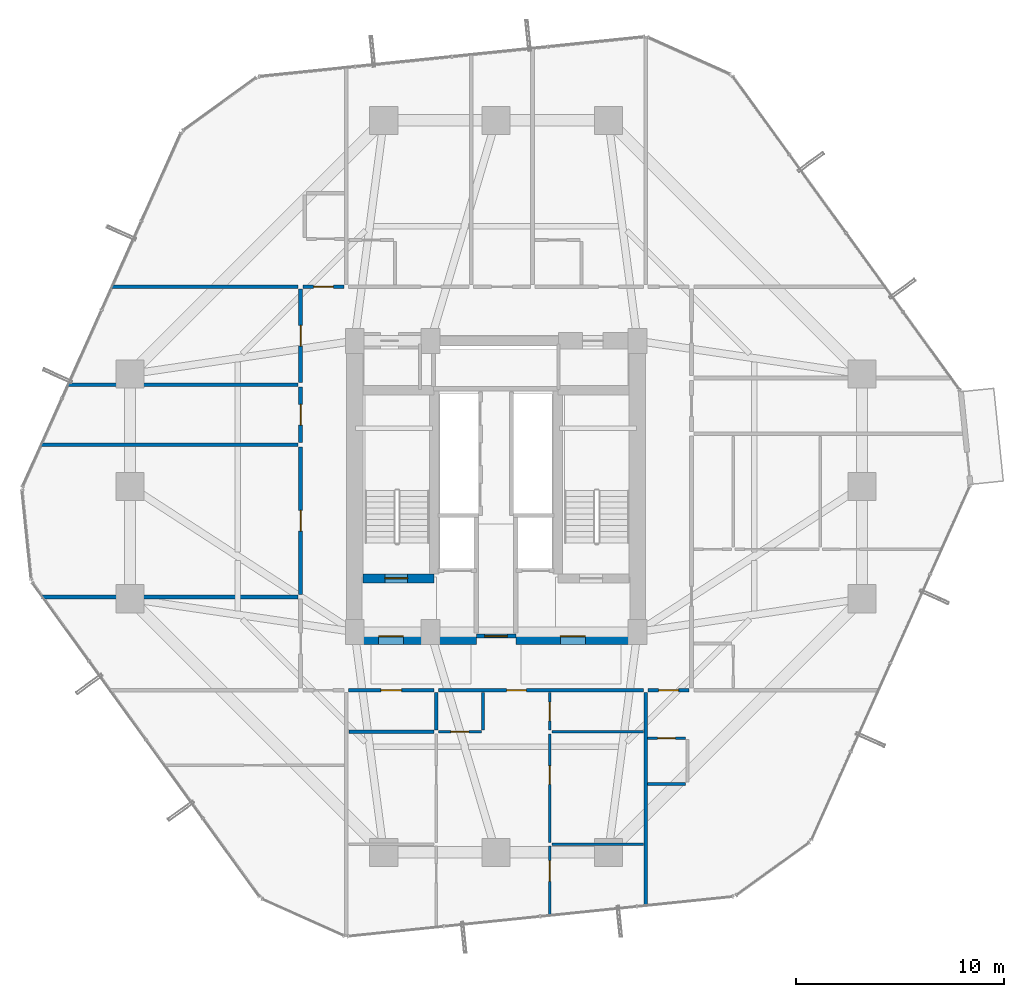
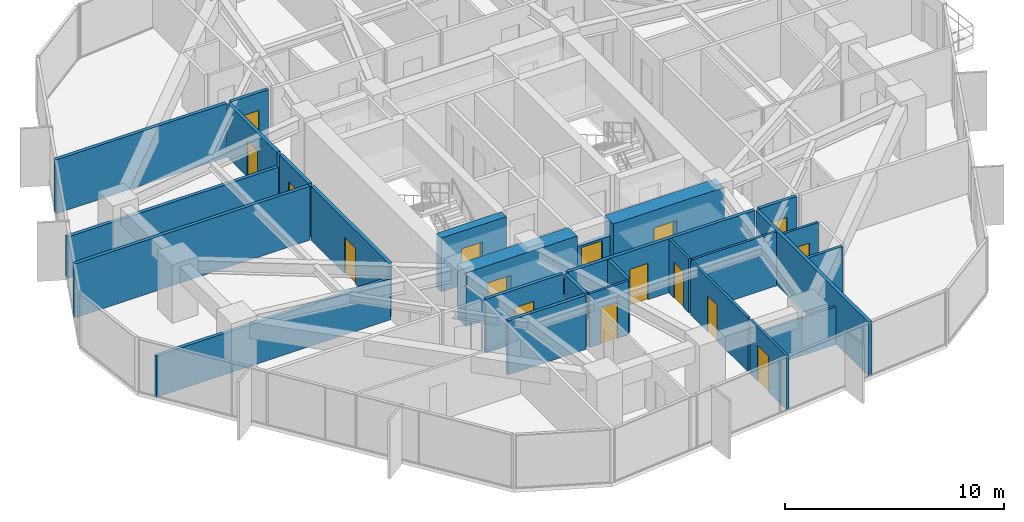
# One storey, part 33 of 37: 27 walls, 16 doors, 16 openings.
"""IFC4 building model written with IfcOpenShell, lengths in metres."""

from ifc_helpers import new_model, si_unit, direction, frame, frame_2d, origin, place, context, subcontext, project, spatial, rectangle, extrude, source, transform, mapped, material, layer, layer_set, type_object, element, fill, save


model = new_model("IFC4")

# Units and contexts
model_context = context("Model", 3, precision=1e-05, world=origin(), true_north=direction((0.0, 1.0)))
body_context = subcontext(model_context, "Body", "Model", "MODEL_VIEW")
ifc_project = project(units=[si_unit("LENGTHUNIT", "METRE"), si_unit("AREAUNIT", "SQUARE_METRE"), si_unit("VOLUMEUNIT", "CUBIC_METRE"), si_unit("PLANEANGLEUNIT", "RADIAN"), si_unit("MASSUNIT", "GRAM", prefix="KILO")], contexts=[model_context])

# Site, building, storey
site_placement = place(None, origin())
site = spatial("IfcSite", under=ifc_project, at=site_placement, CompositionType="ELEMENT")
building_placement = place(site_placement, origin())
building = spatial("IfcBuilding", under=site, at=building_placement, Name="Veraguas Prism Commons", CompositionType="ELEMENT")
storey_placement = place(building_placement, frame((0.0, 0.0, 43.550048828125)))
storey = spatial("IfcBuildingStorey", under=building, at=storey_placement, Name="L11", CompositionType="ELEMENT", Elevation=43.550048828125)

# Wall, opening, door
ifc_material_1 = material(Name="Concrete C60/75", Category="concrete")
ifc_layer_1 = layer(ifc_material_1, 0.449951171875, Name="Core Internal Shear Wall Lower RC 450", Category="concrete")
ifc_layer_set_1 = layer_set([ifc_layer_1], Name="Concrete C60/75")
wall_type_1 = type_object("IfcWallType", Name="Core Internal Shear Wall Lower RC 450", PredefinedType="SHEAR", material=ifc_layer_set_1)
wall_1_placement = place(storey_placement, frame((17.60009765625, 19.574951171875, 0.0), z_axis=(0.0, 0.0, 1.0), x_axis=(1.0, 0.0, 0.0)))
wall_1 = element("IfcWall", 1, at=wall_1_placement, inside=storey, type_object=wall_type_1, Name="Stair ST-01 South Shear Wall L11", PredefinedType="SHEAR", context=body_context, shape_type="SweptSolid", body=[
    extrude(rectangle(XDim=3.4248046875, YDim=0.449951171875, at=frame_2d((1.71240234375, 0.0))), origin(), (0.0, 0.0, 1.0), 3.0),
])
opening_1_placement = place(wall_1_placement, frame((1.050048828125, 0.0, 0.0)))
opening_1 = element("IfcOpeningElement", 2, at=opening_1_placement, cuts=wall_1, Name="Opening DR-05", PredefinedType="OPENING", context=body_context, shape_type="SweptSolid", body=[
    extrude(rectangle(XDim=1.10009765625, YDim=2.030029296875, at=frame_2d((0.550048828125, 1.01513671875))), frame((0.0, 0.23486328125, 0.0), z_axis=(0.0, -1.0, 0.0), x_axis=(1.0, 0.0, 0.0)), (0.0, 0.0, 1.0), 0.469970703125),
])
ifc_material_2 = material(Name="Steel fire-rated door assembly", Category="steel")
door_type_1 = type_object("IfcDoorType", Name="Protected Stair and Refuge Fire Door 1100x2030", OperationType="NOTDEFINED", PredefinedType="DOOR", material=ifc_material_2)
shared_shape_1 = source(origin(), body_context, "Body", "SweptSolid", [
    extrude(rectangle(XDim=1.10009765625, YDim=2.030029296875, at=frame_2d((0.550048828125, 1.01513671875))), frame((0.0, 0.02490234375, 0.0), z_axis=(0.0, -1.0, 0.0), x_axis=(1.0, 0.0, 0.0)), (0.0, 0.0, 1.0), 0.050048828125),
])
door_1_placement = place(opening_1_placement, origin())
door_1 = element("IfcDoor", 3, at=door_1_placement, inside=storey, type_object=door_type_1, Name="Stair ST-01 Enclosure Door L11", OperationType="SINGLE_SWING_RIGHT", OverallHeight=2.030029296875, OverallWidth=1.10009765625, PredefinedType="DOOR", context=body_context, shape_type="MappedRepresentation", body=[
    mapped(shared_shape_1, transform((0.0, 0.0, 0.0), scale=1.0)),
])
fill(opening_1, door_1)

ifc_layer_2 = layer(ifc_material_1, 0.800048828125, Name="Core Outer Shear Wall Lower RC 800", Category="concrete")
ifc_layer_set_2 = layer_set([ifc_layer_2], Name="Concrete C60/75")
wall_type_2 = type_object("IfcWallType", Name="Core Outer Shear Wall Lower RC 800", PredefinedType="SHEAR", material=ifc_layer_set_2)
wall_2_placement = place(storey_placement, frame((17.199951171875, 16.800048828125, 0.0), z_axis=(0.0, 0.0, 1.0), x_axis=(1.0, 0.0, 0.0)))
wall_2 = element("IfcWall", 4, at=wall_2_placement, inside=storey, type_object=wall_type_2, Name="Central Core South-West Shear Wall L11", PredefinedType="SHEAR", context=body_context, shape_type="SweptSolid", body=[
    extrude(rectangle(XDim=5.85009765625, YDim=0.800048828125, at=frame_2d((2.925048828125, 0.0))), origin(), (0.0, 0.0, 1.0), 3.0),
])
opening_2_placement = place(wall_2_placement, frame((1.14990234375, 0.0, 0.0)))
opening_2 = element("IfcOpeningElement", 5, at=opening_2_placement, cuts=wall_2, Name="Opening DR-06", PredefinedType="OPENING", context=body_context, shape_type="SweptSolid", body=[
    extrude(rectangle(XDim=1.199951171875, YDim=2.030029296875, at=frame_2d((0.60009765625, 1.01513671875))), frame((0.0, 0.409912109375, 0.0), z_axis=(0.0, -1.0, 0.0), x_axis=(1.0, 0.0, 0.0)), (0.0, 0.0, 1.0), 0.820068359375),
])
door_type_2 = type_object("IfcDoorType", Name="Firefighting Lobby Smoke Door 1200x2030", OperationType="NOTDEFINED", PredefinedType="DOOR", material=ifc_material_2)
shared_shape_2 = source(origin(), body_context, "Body", "SweptSolid", [
    extrude(rectangle(XDim=1.199951171875, YDim=2.030029296875, at=frame_2d((0.60009765625, 1.01513671875))), frame((0.0, 0.02490234375, 0.0), z_axis=(0.0, -1.0, 0.0), x_axis=(1.0, 0.0, 0.0)), (0.0, 0.0, 1.0), 0.050048828125),
])
door_2_placement = place(opening_2_placement, origin())
door_2 = element("IfcDoor", 6, at=door_2_placement, inside=storey, type_object=door_type_2, Name="West FF Lobby Door L11", OperationType="SINGLE_SWING_LEFT", OverallHeight=2.030029296875, OverallWidth=1.199951171875, PredefinedType="DOOR", context=body_context, shape_type="MappedRepresentation", body=[
    mapped(shared_shape_2, transform((0.0, 0.0, 0.0), scale=1.0)),
])
fill(opening_2, door_2)

wall_3_placement = place(storey_placement, frame((24.949951171875, 16.800048828125, 0.0), z_axis=(0.0, 0.0, 1.0), x_axis=(1.0, 0.0, 0.0)))
wall_3 = element("IfcWall", 7, at=wall_3_placement, inside=storey, type_object=wall_type_2, Name="Central Core South-East Shear Wall L11", PredefinedType="SHEAR", context=body_context, shape_type="SweptSolid", body=[
    extrude(rectangle(XDim=5.85009765625, YDim=0.800048828125, at=frame_2d((2.925048828125, 0.0))), origin(), (0.0, 0.0, 1.0), 3.0),
])
opening_3_placement = place(wall_3_placement, frame((2.14990234375, 0.0, 0.0)))
opening_3 = element("IfcOpeningElement", 8, at=opening_3_placement, cuts=wall_3, Name="Opening DR-06", PredefinedType="OPENING", context=body_context, shape_type="SweptSolid", body=[
    extrude(rectangle(XDim=1.199951171875, YDim=2.030029296875, at=frame_2d((0.60009765625, 1.01513671875))), frame((0.0, 0.409912109375, 0.0), z_axis=(0.0, -1.0, 0.0), x_axis=(1.0, 0.0, 0.0)), (0.0, 0.0, 1.0), 0.820068359375),
])
door_3_placement = place(opening_3_placement, origin())
door_3 = element("IfcDoor", 9, at=door_3_placement, inside=storey, type_object=door_type_2, Name="East FF Lobby Door L11", OperationType="SINGLE_SWING_LEFT", OverallHeight=2.030029296875, OverallWidth=1.199951171875, PredefinedType="DOOR", context=body_context, shape_type="MappedRepresentation", body=[
    mapped(shared_shape_2, transform((0.0, 0.0, 0.0), scale=1.0)),
])
fill(opening_3, door_3)

# Wall
ifc_material_3 = material(Name="Autoclaved aerated masonry block 10 MPa", Category="masonry")
ifc_layer_3 = layer(ifc_material_3, 0.179931640625, Name="Corridor and Inter-Tenancy Partition 180", Category="masonry")
ifc_layer_set_3 = layer_set([ifc_layer_3], Name="Autoclaved aerated masonry block 10 MPa")
wall_type_3 = type_object("IfcWallType", Name="Corridor and Inter-Tenancy Partition 180", PredefinedType="PARTITIONING", material=ifc_layer_set_3)
wall_4_placement = place(storey_placement, frame((31.199951171875, 14.080078125, 0.0), z_axis=(0.0, 0.0, 1.0), x_axis=(0.0, -1.0, 0.0)))
element("IfcWall", 10, at=wall_4_placement, inside=storey, type_object=wall_type_3, Name="WL-L11-PT002", PredefinedType="PARTITIONING", context=body_context, shape_type="SweptSolid", body=[
    extrude(rectangle(XDim=10.26318359375, YDim=0.179931640625, at=frame_2d((5.131591796875, 0.0))), origin(), (0.0, 0.0, 1.0), 3.0),
])

# Wall, opening, door
wall_5_placement = place(storey_placement, frame((16.909912109375, 14.199951171875, 0.0), z_axis=(0.0, 0.0, 1.0), x_axis=(1.0, 0.0, 0.0)))
wall_5 = element("IfcWall", 11, at=wall_5_placement, inside=storey, type_object=wall_type_3, Name="WL-L11-PT003", PredefinedType="PARTITIONING", context=body_context, shape_type="SweptSolid", body=[
    extrude(rectangle(XDim=4.10009765625, YDim=0.179931640625, at=frame_2d((2.050048828125, 0.0))), origin(), (0.0, 0.0, 1.0), 3.0),
])
opening_4_placement = place(wall_5_placement, frame((1.550048828125, 0.0, 0.0)))
opening_4 = element("IfcOpeningElement", 12, at=opening_4_placement, cuts=wall_5, Name="Opening DR-13", PredefinedType="OPENING", context=body_context, shape_type="SweptSolid", body=[
    extrude(rectangle(XDim=1.0, YDim=2.010009765625, at=frame_2d((0.5, 1.0048828125))), frame((0.0, 0.099853515625, 0.0), z_axis=(0.0, -1.0, 0.0), x_axis=(1.0, 0.0, 0.0)), (0.0, 0.0, 1.0), 0.199951171875),
])
door_type_3 = type_object("IfcDoorType", Name="Core Accessible WC and Clinic Fire Door 1000x2010", OperationType="NOTDEFINED", PredefinedType="DOOR", material=ifc_material_2)
shared_shape_3 = source(origin(), body_context, "Body", "SweptSolid", [
    extrude(rectangle(XDim=1.0, YDim=2.010009765625, at=frame_2d((0.5, 1.0048828125))), frame((0.0, 0.02490234375, 0.0), z_axis=(0.0, -1.0, 0.0), x_axis=(1.0, 0.0, 0.0)), (0.0, 0.0, 1.0), 0.050048828125),
])
door_4_placement = place(opening_4_placement, origin())
door_4 = element("IfcDoor", 13, at=door_4_placement, inside=storey, type_object=door_type_3, Name="Residents Study Alcove 11A Door", OperationType="SINGLE_SWING_RIGHT", OverallHeight=2.010009765625, OverallWidth=1.0, PredefinedType="DOOR", context=body_context, shape_type="MappedRepresentation", body=[
    mapped(shared_shape_3, transform((0.0, 0.0, 0.0), scale=1.0)),
])
fill(opening_4, door_4)

wall_6_placement = place(storey_placement, frame((21.22998046875, 14.199951171875, 0.0), z_axis=(0.0, 0.0, 1.0), x_axis=(1.0, 0.0, 0.0)))
wall_6 = element("IfcWall", 14, at=wall_6_placement, inside=storey, type_object=wall_type_3, Name="WL-L11-PT004", PredefinedType="PARTITIONING", context=body_context, shape_type="SweptSolid", body=[
    extrude(rectangle(XDim=9.860107421875, YDim=0.179931640625, at=frame_2d((4.93017578125, 0.0))), origin(), (0.0, 0.0, 1.0), 3.0),
])
opening_5_placement = place(wall_6_placement, frame((3.27587890625, 0.0, 0.0)))
opening_5 = element("IfcOpeningElement", 15, at=opening_5_placement, cuts=wall_6, Name="Opening DR-01", PredefinedType="OPENING", context=body_context, shape_type="SweptSolid", body=[
    extrude(rectangle(XDim=0.949951171875, YDim=2.02001953125, at=frame_2d((0.47509765625, 1.010009765625))), frame((0.0, 0.099853515625, 0.0), z_axis=(0.0, -1.0, 0.0), x_axis=(1.0, 0.0, 0.0)), (0.0, 0.0, 1.0), 0.199951171875),
])
ifc_material_4 = material(Name="Anodised aluminium EN AW-6063 T6", Category="aluminium")
door_type_4 = type_object("IfcDoorType", Name="Apartment Entrance Fire Door 950x2020", OperationType="NOTDEFINED", PredefinedType="DOOR", material=ifc_material_4)
shared_shape_4 = source(origin(), body_context, "Body", "SweptSolid", [
    extrude(rectangle(XDim=0.949951171875, YDim=2.02001953125, at=frame_2d((0.47509765625, 1.010009765625))), frame((0.0, 0.02490234375, 0.0), z_axis=(0.0, -1.0, 0.0), x_axis=(1.0, 0.0, 0.0)), (0.0, 0.0, 1.0), 0.050048828125),
])
door_5_placement = place(opening_5_placement, origin())
door_5 = element("IfcDoor", 16, at=door_5_placement, inside=storey, type_object=door_type_4, Name="Flat 11A Entrance Door", OperationType="SINGLE_SWING_LEFT", OverallHeight=2.02001953125, OverallWidth=0.949951171875, PredefinedType="DOOR", context=body_context, shape_type="MappedRepresentation", body=[
    mapped(shared_shape_4, transform((0.0, 0.0, 0.0), scale=1.0)),
])
fill(opening_5, door_5)

# Walls
wall_7_placement = place(storey_placement, frame((16.919921875, 12.199951171875, 0.0), z_axis=(0.0, 0.0, 1.0), x_axis=(1.0, 0.0, 0.0)))
element("IfcWall", 17, at=wall_7_placement, inside=storey, type_object=wall_type_3, Name="WL-L11-PT009", PredefinedType="PARTITIONING", context=body_context, shape_type="SweptSolid", body=[
    extrude(rectangle(XDim=4.10009765625, YDim=0.179931640625, at=frame_2d((2.050048828125, 0.0))), origin(), (0.0, 0.0, 1.0), 3.0),
])
wall_8_placement = place(storey_placement, frame((21.1201171875, 14.080078125, 0.0), z_axis=(0.0, 0.0, 1.0), x_axis=(0.0, -1.0, 0.0)))
element("IfcWall", 18, at=wall_8_placement, inside=storey, type_object=wall_type_3, Name="WL-L11-PT010", PredefinedType="PARTITIONING", context=body_context, shape_type="SweptSolid", body=[
    extrude(rectangle(XDim=1.800048828125, YDim=0.179931640625, at=frame_2d((0.89990234375, 0.0))), origin(), (0.0, 0.0, 1.0), 3.0),
])
wall_9_placement = place(storey_placement, frame((14.47998046875, 33.60009765625, 0.0), z_axis=(0.0, 0.0, 1.0), x_axis=(-1.0, 0.0, 0.0)))
element("IfcWall", 19, at=wall_9_placement, inside=storey, type_object=wall_type_3, Name="WL-L11-PT029", PredefinedType="PARTITIONING", context=body_context, shape_type="SweptSolid", body=[
    extrude(rectangle(XDim=8.987548828125, YDim=0.179931640625, at=frame_2d((4.49365234375, 0.0))), origin(), (0.0, 0.0, 1.0), 3.0),
])

# Wall, opening, door
wall_10_placement = place(storey_placement, frame((14.60009765625, 18.797119140625, 0.0), z_axis=(0.0, 0.0, 1.0), x_axis=(0.0, 1.0, 0.0)))
wall_10 = element("IfcWall", 20, at=wall_10_placement, inside=storey, type_object=wall_type_3, Name="WL-L11-PT031", PredefinedType="PARTITIONING", context=body_context, shape_type="SweptSolid", body=[
    extrude(rectangle(XDim=7.100830078125, YDim=0.179931640625, at=frame_2d((3.55029296875, 0.0))), origin(), (0.0, 0.0, 1.0), 3.0),
])
opening_6_placement = place(wall_10_placement, frame((3.050537109375, 0.0, 0.0)))
opening_6 = element("IfcOpeningElement", 21, at=opening_6_placement, cuts=wall_10, Name="Opening DR-13", PredefinedType="OPENING", context=body_context, shape_type="SweptSolid", body=[
    extrude(rectangle(XDim=1.0, YDim=2.010009765625, at=frame_2d((0.5, 1.0048828125))), frame((0.0, 0.099853515625, 0.0), z_axis=(0.0, -1.0, 0.0), x_axis=(1.0, 0.0, 0.0)), (0.0, 0.0, 1.0), 0.199951171875),
])
door_6_placement = place(opening_6_placement, origin())
door_6 = element("IfcDoor", 22, at=door_6_placement, inside=storey, type_object=door_type_3, Name="Co-op Store W Door", OperationType="SINGLE_SWING_RIGHT", OverallHeight=2.010009765625, OverallWidth=1.0, PredefinedType="DOOR", context=body_context, shape_type="MappedRepresentation", body=[
    mapped(shared_shape_3, transform((0.0, 0.0, 0.0), scale=1.0)),
])
fill(opening_6, door_6)

# Walls
wall_11_placement = place(storey_placement, frame((14.47998046875, 18.68701171875, 0.0), z_axis=(0.0, 0.0, 1.0), x_axis=(-1.0, 0.0, 0.0)))
element("IfcWall", 23, at=wall_11_placement, inside=storey, type_object=wall_type_3, Name="WL-L11-PT032", PredefinedType="PARTITIONING", context=body_context, shape_type="SweptSolid", body=[
    extrude(rectangle(XDim=12.326171875, YDim=0.179931640625, at=frame_2d((6.1630859375, 0.0))), origin(), (0.0, 0.0, 1.0), 2.299072265625),
])
wall_12_placement = place(storey_placement, frame((14.47998046875, 26.008056640625, 0.0), z_axis=(0.0, 0.0, 1.0), x_axis=(-1.0, 0.0, 0.0)))
element("IfcWall", 24, at=wall_12_placement, inside=storey, type_object=wall_type_3, Name="WL-L11-PT033", PredefinedType="PARTITIONING", context=body_context, shape_type="SweptSolid", body=[
    extrude(rectangle(XDim=12.38671875, YDim=0.179931640625, at=frame_2d((6.193359375, 0.0))), origin(), (0.0, 0.0, 1.0), 3.0),
])

# Wall, opening, door
wall_13_placement = place(storey_placement, frame((14.60009765625, 26.117919921875, 0.0), z_axis=(0.0, 0.0, 1.0), x_axis=(0.0, 1.0, 0.0)))
wall_13 = element("IfcWall", 25, at=wall_13_placement, inside=storey, type_object=wall_type_3, Name="WL-L11-PT034", PredefinedType="PARTITIONING", context=body_context, shape_type="SweptSolid", body=[
    extrude(rectangle(XDim=2.6650390625, YDim=0.179931640625, at=frame_2d((1.33251953125, 0.0))), origin(), (0.0, 0.0, 1.0), 3.0),
])
opening_7_placement = place(wall_13_placement, frame((0.83251953125, 0.0, 0.0)))
opening_7 = element("IfcOpeningElement", 26, at=opening_7_placement, cuts=wall_13, Name="Opening DR-13", PredefinedType="OPENING", context=body_context, shape_type="SweptSolid", body=[
    extrude(rectangle(XDim=1.0, YDim=2.010009765625, at=frame_2d((0.5, 1.0048828125))), frame((0.0, 0.099853515625, 0.0), z_axis=(0.0, -1.0, 0.0), x_axis=(1.0, 0.0, 0.0)), (0.0, 0.0, 1.0), 0.199951171875),
])
door_7_placement = place(opening_7_placement, origin())
door_7 = element("IfcDoor", 27, at=door_7_placement, inside=storey, type_object=door_type_3, Name="Shared Laundry Room Door", OperationType="SINGLE_SWING_LEFT", OverallHeight=2.010009765625, OverallWidth=1.0, PredefinedType="DOOR", context=body_context, shape_type="MappedRepresentation", body=[
    mapped(shared_shape_3, transform((0.0, 0.0, 0.0), scale=1.0)),
])
fill(opening_7, door_7)

wall_14_placement = place(storey_placement, frame((14.60009765625, 29.0029296875, 0.0), z_axis=(0.0, 0.0, 1.0), x_axis=(0.0, 1.0, 0.0)))
wall_14 = element("IfcWall", 28, at=wall_14_placement, inside=storey, type_object=wall_type_3, Name="WL-L11-PT035", PredefinedType="PARTITIONING", context=body_context, shape_type="SweptSolid", body=[
    extrude(rectangle(XDim=4.487060546875, YDim=0.179931640625, at=frame_2d((2.24365234375, 0.0))), origin(), (0.0, 0.0, 1.0), 3.0),
])
opening_8_placement = place(wall_14_placement, frame((1.743408203125, 0.0, 0.0)))
opening_8 = element("IfcOpeningElement", 29, at=opening_8_placement, cuts=wall_14, Name="Opening DR-13", PredefinedType="OPENING", context=body_context, shape_type="SweptSolid", body=[
    extrude(rectangle(XDim=1.0, YDim=2.010009765625, at=frame_2d((0.5, 1.0048828125))), frame((0.0, 0.099853515625, 0.0), z_axis=(0.0, -1.0, 0.0), x_axis=(1.0, 0.0, 0.0)), (0.0, 0.0, 1.0), 0.199951171875),
])
door_8_placement = place(opening_8_placement, origin())
door_8 = element("IfcDoor", 30, at=door_8_placement, inside=storey, type_object=door_type_3, Name="Co-op Store W Door", OperationType="SINGLE_SWING_RIGHT", OverallHeight=2.010009765625, OverallWidth=1.0, PredefinedType="DOOR", context=body_context, shape_type="MappedRepresentation", body=[
    mapped(shared_shape_3, transform((0.0, 0.0, 0.0), scale=1.0)),
])
fill(opening_8, door_8)

# Wall
wall_15_placement = place(storey_placement, frame((14.47998046875, 28.89306640625, 0.0), z_axis=(0.0, 0.0, 1.0), x_axis=(-1.0, 0.0, 0.0)))
element("IfcWall", 31, at=wall_15_placement, inside=storey, type_object=wall_type_3, Name="WL-L11-PT036", PredefinedType="PARTITIONING", context=body_context, shape_type="SweptSolid", body=[
    extrude(rectangle(XDim=11.094970703125, YDim=0.179931640625, at=frame_2d((5.54736328125, 0.0))), origin(), (0.0, 0.0, 1.0), 2.299072265625),
])

# Wall, opening, door
wall_16_placement = place(storey_placement, frame((31.320068359375, 14.199951171875, 0.0), z_axis=(0.0, 0.0, 1.0), x_axis=(1.0, 0.0, 0.0)))
wall_16 = element("IfcWall", 32, at=wall_16_placement, inside=storey, type_object=wall_type_3, Name="WL-L11-PT053", PredefinedType="PARTITIONING", context=body_context, shape_type="SweptSolid", body=[
    extrude(rectangle(XDim=1.9599609375, YDim=0.179931640625, at=frame_2d((0.97998046875, 0.0))), origin(), (0.0, 0.0, 1.0), 3.0),
])
opening_9_placement = place(wall_16_placement, frame((0.5048828125, 0.0, 0.0)))
opening_9 = element("IfcOpeningElement", 33, at=opening_9_placement, cuts=wall_16, Name="Opening DR-01", PredefinedType="OPENING", context=body_context, shape_type="SweptSolid", body=[
    extrude(rectangle(XDim=0.949951171875, YDim=2.02001953125, at=frame_2d((0.47509765625, 1.010009765625))), frame((0.0, 0.099853515625, 0.0), z_axis=(0.0, -1.0, 0.0), x_axis=(1.0, 0.0, 0.0)), (0.0, 0.0, 1.0), 0.199951171875),
])
door_9_placement = place(opening_9_placement, origin())
door_9 = element("IfcDoor", 34, at=door_9_placement, inside=storey, type_object=door_type_4, Name="Studio 11E Entrance Door", OperationType="SINGLE_SWING_RIGHT", OverallHeight=2.02001953125, OverallWidth=0.949951171875, PredefinedType="DOOR", context=body_context, shape_type="MappedRepresentation", body=[
    mapped(shared_shape_4, transform((0.0, 0.0, 0.0), scale=1.0)),
])
fill(opening_9, door_9)

wall_17_placement = place(storey_placement, frame((14.719970703125, 33.60009765625, 0.0), z_axis=(0.0, 0.0, 1.0), x_axis=(1.0, 0.0, 0.0)))
wall_17 = element("IfcWall", 35, at=wall_17_placement, inside=storey, type_object=wall_type_3, Name="WL-L11-PT057", PredefinedType="PARTITIONING", context=body_context, shape_type="SweptSolid", body=[
    extrude(rectangle(XDim=1.9599609375, YDim=0.179931640625, at=frame_2d((0.97998046875, 0.0))), origin(), (0.0, 0.0, 1.0), 3.0),
])
opening_10_placement = place(wall_17_placement, frame((0.5048828125, 0.0, 0.0)))
opening_10 = element("IfcOpeningElement", 36, at=opening_10_placement, cuts=wall_17, Name="Opening DR-01", PredefinedType="OPENING", context=body_context, shape_type="SweptSolid", body=[
    extrude(rectangle(XDim=0.949951171875, YDim=2.02001953125, at=frame_2d((0.47509765625, 1.010009765625))), frame((0.0, 0.099853515625, 0.0), z_axis=(0.0, -1.0, 0.0), x_axis=(1.0, 0.0, 0.0)), (0.0, 0.0, 1.0), 0.199951171875),
])
door_10_placement = place(opening_10_placement, origin())
door_10 = element("IfcDoor", 37, at=door_10_placement, inside=storey, type_object=door_type_4, Name="Studio 11F Entrance Door", OperationType="SINGLE_SWING_RIGHT", OverallHeight=2.02001953125, OverallWidth=0.949951171875, PredefinedType="DOOR", context=body_context, shape_type="MappedRepresentation", body=[
    mapped(shared_shape_4, transform((0.0, 0.0, 0.0), scale=1.0)),
])
fill(opening_10, door_10)

# Wall
ifc_material_5 = material(Name="Lightweight acoustic gypsum board")
ifc_layer_4 = layer(ifc_material_5, 0.125, Name="Internal Apartment Room Partition 125")
ifc_layer_set_4 = layer_set([ifc_layer_4], Name="Lightweight acoustic gypsum board")
wall_type_4 = type_object("IfcWallType", Name="Internal Apartment Room Partition 125", PredefinedType="PARTITIONING", material=ifc_layer_set_4)
wall_18_placement = place(storey_placement, frame((26.69189453125, 6.800048828125, 0.0), z_axis=(0.0, 0.0, 1.0), x_axis=(1.0, 0.0, 0.0)))
element("IfcWall", 38, at=wall_18_placement, inside=storey, type_object=wall_type_4, Name="WL-L11-PT007", PredefinedType="PARTITIONING", context=body_context, shape_type="SweptSolid", body=[
    extrude(rectangle(XDim=4.38818359375, YDim=0.125, at=frame_2d((2.194091796875, 0.0))), origin(), (0.0, 0.0, 1.0), 2.099853515625),
])

# Wall, opening, door
wall_19_placement = place(storey_placement, frame((26.592041015625, 6.699951171875, 0.0), z_axis=(0.0, 0.0, 1.0), x_axis=(0.0, -1.0, 0.0)))
wall_19 = element("IfcWall", 39, at=wall_19_placement, inside=storey, type_object=wall_type_4, Name="WL-L11-PT008", PredefinedType="PARTITIONING", context=body_context, shape_type="SweptSolid", body=[
    extrude(rectangle(XDim=3.357666015625, YDim=0.125, at=frame_2d((1.6787109375, 0.0))), origin(), (0.0, 0.0, 1.0), 3.0),
])
opening_11_placement = place(wall_19_placement, frame((0.689453125, 0.0, 0.0)))
opening_11 = element("IfcOpeningElement", 40, at=opening_11_placement, cuts=wall_19, Name="Opening DR-04", PredefinedType="OPENING", context=body_context, shape_type="SweptSolid", body=[
    extrude(rectangle(XDim=1.0, YDim=2.010009765625, at=frame_2d((0.5, 1.0048828125))), frame((0.0, 0.072509765625, 0.0), z_axis=(0.0, -1.0, 0.0), x_axis=(1.0, 0.0, 0.0)), (0.0, 0.0, 1.0), 0.14501953125),
])
door_type_5 = type_object("IfcDoorType", Name="Accessible WC and Clinic Exam Door 1000x2010", OperationType="NOTDEFINED", PredefinedType="DOOR", material=ifc_material_4)
door_11_placement = place(opening_11_placement, origin())
door_11 = element("IfcDoor", 41, at=door_11_placement, inside=storey, type_object=door_type_5, Name="Flat 11A Study Door", OperationType="SINGLE_SWING_LEFT", OverallHeight=2.010009765625, OverallWidth=1.0, PredefinedType="DOOR", context=body_context, shape_type="MappedRepresentation", body=[
    mapped(shared_shape_3, transform((0.0, 0.0, 0.0), scale=1.0)),
])
fill(opening_11, door_11)

wall_20_placement = place(storey_placement, frame((21.239990234375, 12.199951171875, 0.0), z_axis=(0.0, 0.0, 1.0), x_axis=(1.0, 0.0, 0.0)))
wall_20 = element("IfcWall", 42, at=wall_20_placement, inside=storey, type_object=wall_type_4, Name="WL-L11-PT013", PredefinedType="PARTITIONING", context=body_context, shape_type="SweptSolid", body=[
    extrude(rectangle(XDim=2.050048828125, YDim=0.125, at=frame_2d((1.02490234375, 0.0))), origin(), (0.0, 0.0, 1.0), 3.0),
])
opening_12_placement = place(wall_20_placement, frame((0.594970703125, 0.0, 0.0)))
opening_12 = element("IfcOpeningElement", 43, at=opening_12_placement, cuts=wall_20, Name="Opening DR-03", PredefinedType="OPENING", context=body_context, shape_type="SweptSolid", body=[
    extrude(rectangle(XDim=0.860107421875, YDim=2.010009765625, at=frame_2d((0.43017578125, 1.0048828125))), frame((0.0, 0.072509765625, 0.0), z_axis=(0.0, -1.0, 0.0), x_axis=(1.0, 0.0, 0.0)), (0.0, 0.0, 1.0), 0.14501953125),
])
ifc_material_6 = material(Name="Timber moisture-resistant leaf", Category="wood")
door_type_6 = type_object("IfcDoorType", Name="Internal Bathroom Door 860x2010", OperationType="NOTDEFINED", PredefinedType="DOOR", material=ifc_material_6)
shared_shape_5 = source(origin(), body_context, "Body", "SweptSolid", [
    extrude(rectangle(XDim=0.860107421875, YDim=2.010009765625, at=frame_2d((0.43017578125, 1.0048828125))), frame((0.0, 0.02490234375, 0.0), z_axis=(0.0, -1.0, 0.0), x_axis=(1.0, 0.0, 0.0)), (0.0, 0.0, 1.0), 0.050048828125),
])
door_12_placement = place(opening_12_placement, origin())
door_12 = element("IfcDoor", 44, at=door_12_placement, inside=storey, type_object=door_type_6, Name="Flat 11A Bathroom Door", OperationType="SINGLE_SWING_LEFT", OverallHeight=2.010009765625, OverallWidth=0.860107421875, PredefinedType="DOOR", context=body_context, shape_type="MappedRepresentation", body=[
    mapped(shared_shape_5, transform((0.0, 0.0, 0.0), scale=1.0)),
])
fill(opening_12, door_12)

wall_21_placement = place(storey_placement, frame((26.592041015625, 14.080078125, 0.0), z_axis=(0.0, 0.0, 1.0), x_axis=(0.0, -1.0, 0.0)))
wall_21 = element("IfcWall", 45, at=wall_21_placement, inside=storey, type_object=wall_type_4, Name="WL-L11-PT014", PredefinedType="PARTITIONING", context=body_context, shape_type="SweptSolid", body=[
    extrude(rectangle(XDim=1.800048828125, YDim=0.125, at=frame_2d((0.89990234375, 0.0))), origin(), (0.0, 0.0, 1.0), 3.0),
])
opening_13_placement = place(wall_21_placement, frame((0.449951171875, 0.0, 0.0)))
opening_13 = element("IfcOpeningElement", 46, at=opening_13_placement, cuts=wall_21, Name="Opening DR-02", PredefinedType="OPENING", context=body_context, shape_type="SweptSolid", body=[
    extrude(rectangle(XDim=0.89990234375, YDim=2.010009765625, at=frame_2d((0.449951171875, 1.0048828125))), frame((0.0, 0.072509765625, 0.0), z_axis=(0.0, -1.0, 0.0), x_axis=(1.0, 0.0, 0.0)), (0.0, 0.0, 1.0), 0.14501953125),
])
ifc_material_7 = material(Name="Timber solid core hardwood", Category="wood")
door_type_7 = type_object("IfcDoorType", Name="Internal Habitable Room Door 900x2010", OperationType="NOTDEFINED", PredefinedType="DOOR", material=ifc_material_7)
shared_shape_6 = source(origin(), body_context, "Body", "SweptSolid", [
    extrude(rectangle(XDim=0.89990234375, YDim=2.010009765625, at=frame_2d((0.449951171875, 1.0048828125))), frame((0.0, 0.02490234375, 0.0), z_axis=(0.0, -1.0, 0.0), x_axis=(1.0, 0.0, 0.0)), (0.0, 0.0, 1.0), 0.050048828125),
])
door_13_placement = place(opening_13_placement, origin())
door_13 = element("IfcDoor", 47, at=door_13_placement, inside=storey, type_object=door_type_7, Name="Flat 11A Kitchen Door", OperationType="SINGLE_SWING_RIGHT", OverallHeight=2.010009765625, OverallWidth=0.89990234375, PredefinedType="DOOR", context=body_context, shape_type="MappedRepresentation", body=[
    mapped(shared_shape_6, transform((0.0, 0.0, 0.0), scale=1.0)),
])
fill(opening_13, door_13)

# Wall
wall_22_placement = place(storey_placement, frame((26.69189453125, 12.199951171875, 0.0), z_axis=(0.0, 0.0, 1.0), x_axis=(1.0, 0.0, 0.0)))
element("IfcWall", 48, at=wall_22_placement, inside=storey, type_object=wall_type_4, Name="WL-L11-PT015", PredefinedType="PARTITIONING", context=body_context, shape_type="SweptSolid", body=[
    extrude(rectangle(XDim=4.38818359375, YDim=0.125, at=frame_2d((2.194091796875, 0.0))), origin(), (0.0, 0.0, 1.0), 3.0),
])

# Wall, opening, door
wall_23_placement = place(storey_placement, frame((26.592041015625, 12.10009765625, 0.0), z_axis=(0.0, 0.0, 1.0), x_axis=(0.0, -1.0, 0.0)))
wall_23 = element("IfcWall", 49, at=wall_23_placement, inside=storey, type_object=wall_type_4, Name="WL-L11-PT016", PredefinedType="PARTITIONING", context=body_context, shape_type="SweptSolid", body=[
    extrude(rectangle(XDim=5.22021484375, YDim=0.125, at=frame_2d((2.610107421875, 0.0))), origin(), (0.0, 0.0, 1.0), 3.0),
])
opening_14_placement = place(wall_23_placement, frame((1.53271484375, 0.0, 0.0)))
opening_14 = element("IfcOpeningElement", 50, at=opening_14_placement, cuts=wall_23, Name="Opening DR-02", PredefinedType="OPENING", context=body_context, shape_type="SweptSolid", body=[
    extrude(rectangle(XDim=0.89990234375, YDim=2.010009765625, at=frame_2d((0.449951171875, 1.0048828125))), frame((0.0, 0.072509765625, 0.0), z_axis=(0.0, -1.0, 0.0), x_axis=(1.0, 0.0, 0.0)), (0.0, 0.0, 1.0), 0.14501953125),
])
door_14_placement = place(opening_14_placement, origin())
door_14 = element("IfcDoor", 51, at=door_14_placement, inside=storey, type_object=door_type_7, Name="Flat 11A Bedroom 1 Door", OperationType="SINGLE_SWING_LEFT", OverallHeight=2.010009765625, OverallWidth=0.89990234375, PredefinedType="DOOR", context=body_context, shape_type="MappedRepresentation", body=[
    mapped(shared_shape_6, transform((0.0, 0.0, 0.0), scale=1.0)),
])
fill(opening_14, door_14)

wall_24_placement = place(storey_placement, frame((31.280029296875, 11.89990234375, 0.0), z_axis=(0.0, 0.0, 1.0), x_axis=(1.0, 0.0, 0.0)))
wall_24 = element("IfcWall", 52, at=wall_24_placement, inside=storey, type_object=wall_type_4, Name="WL-L11-PT054", PredefinedType="PARTITIONING", context=body_context, shape_type="SweptSolid", body=[
    extrude(rectangle(XDim=1.840087890625, YDim=0.125, at=frame_2d((0.919921875, 0.0))), origin(), (0.0, 0.0, 1.0), 3.0),
])
opening_15_placement = place(wall_24_placement, frame((0.489990234375, 0.0, 0.0)))
opening_15 = element("IfcOpeningElement", 53, at=opening_15_placement, cuts=wall_24, Name="Opening DR-03", PredefinedType="OPENING", context=body_context, shape_type="SweptSolid", body=[
    extrude(rectangle(XDim=0.860107421875, YDim=2.010009765625, at=frame_2d((0.43017578125, 1.0048828125))), frame((0.0, 0.072509765625, 0.0), z_axis=(0.0, -1.0, 0.0), x_axis=(1.0, 0.0, 0.0)), (0.0, 0.0, 1.0), 0.14501953125),
])
door_15_placement = place(opening_15_placement, origin())
door_15 = element("IfcDoor", 54, at=door_15_placement, inside=storey, type_object=door_type_6, Name="Studio 11E Bathroom Door", OperationType="SINGLE_SWING_LEFT", OverallHeight=2.010009765625, OverallWidth=0.860107421875, PredefinedType="DOOR", context=body_context, shape_type="MappedRepresentation", body=[
    mapped(shared_shape_5, transform((0.0, 0.0, 0.0), scale=1.0)),
])
fill(opening_15, door_15)

ifc_layer_5 = layer(ifc_material_3, 0.199951171875, Name="Rated Shaft and Lobby Block Wall 200", Category="masonry")
ifc_layer_set_5 = layer_set([ifc_layer_5], Name="Autoclaved aerated masonry block 10 MPa")
wall_type_5 = type_object("IfcWallType", Name="Rated Shaft and Lobby Block Wall 200", PredefinedType="SOLIDWALL", material=ifc_layer_set_5)
wall_25_placement = place(storey_placement, frame((23.050048828125, 16.800048828125, 0.0), z_axis=(0.0, 0.0, 1.0), x_axis=(1.0, 0.0, 0.0)))
wall_25 = element("IfcWall", 55, at=wall_25_placement, inside=storey, type_object=wall_type_5, Name="Central Core Lobby Entrance Wall L11", PredefinedType="SOLIDWALL", context=body_context, shape_type="SweptSolid", body=[
    extrude(rectangle(XDim=1.89990234375, YDim=0.199951171875, at=frame_2d((0.949951171875, 0.0))), origin(), (0.0, 0.0, 1.0), 2.14990234375),
])
opening_16_placement = place(wall_25_placement, frame((0.39990234375, 0.0, 0.0)))
opening_16 = element("IfcOpeningElement", 56, at=opening_16_placement, cuts=wall_25, Name="Opening DR-05", PredefinedType="OPENING", context=body_context, shape_type="SweptSolid", body=[
    extrude(rectangle(XDim=1.10009765625, YDim=2.030029296875, at=frame_2d((0.550048828125, 1.01513671875))), frame((0.0, 0.10986328125, 0.0), z_axis=(0.0, -1.0, 0.0), x_axis=(1.0, 0.0, 0.0)), (0.0, 0.0, 1.0), 0.219970703125),
])
door_16_placement = place(opening_16_placement, origin())
door_16 = element("IfcDoor", 57, at=door_16_placement, inside=storey, type_object=door_type_1, Name="Central Lobby Door L11", OperationType="SINGLE_SWING_RIGHT", OverallHeight=2.030029296875, OverallWidth=1.10009765625, PredefinedType="DOOR", context=body_context, shape_type="MappedRepresentation", body=[
    mapped(shared_shape_1, transform((0.0, 0.0, 0.0), scale=1.0)),
])
fill(opening_16, door_16)

# Walls
ifc_layer_6 = layer(ifc_material_5, 0.14990234375, Name="Wet Room and Clinic Acoustic Partition 150")
ifc_layer_set_6 = layer_set([ifc_layer_6], Name="Lightweight acoustic gypsum board")
wall_type_6 = type_object("IfcWallType", Name="Wet Room and Clinic Acoustic Partition 150", PredefinedType="PARTITIONING", material=ifc_layer_set_6)
wall_26_placement = place(storey_placement, frame((23.3701171875, 14.080078125, 0.0), z_axis=(0.0, 0.0, 1.0), x_axis=(0.0, -1.0, 0.0)))
element("IfcWall", 58, at=wall_26_placement, inside=storey, type_object=wall_type_6, Name="WL-L11-PT012", PredefinedType="PARTITIONING", context=body_context, shape_type="SweptSolid", body=[
    extrude(rectangle(XDim=1.800048828125, YDim=0.14990234375, at=frame_2d((0.89990234375, 0.0))), origin(), (0.0, 0.0, 1.0), 3.0),
])
wall_27_placement = place(storey_placement, frame((31.280029296875, 9.699951171875, 0.0), z_axis=(0.0, 0.0, 1.0), x_axis=(1.0, 0.0, 0.0)))
element("IfcWall", 59, at=wall_27_placement, inside=storey, type_object=wall_type_6, Name="WL-L11-PT055", PredefinedType="PARTITIONING", context=body_context, shape_type="SweptSolid", body=[
    extrude(rectangle(XDim=1.840087890625, YDim=0.14990234375, at=frame_2d((0.919921875, 0.0))), origin(), (0.0, 0.0, 1.0), 3.0),
])

save(model, "model.ifc")
